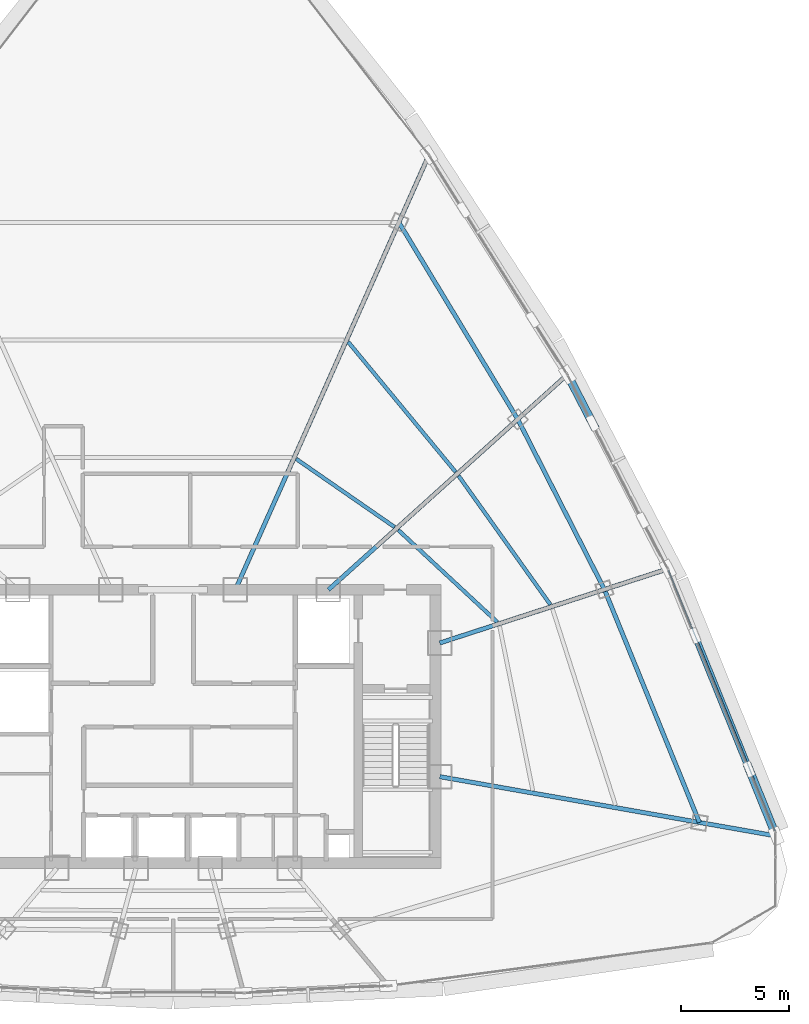
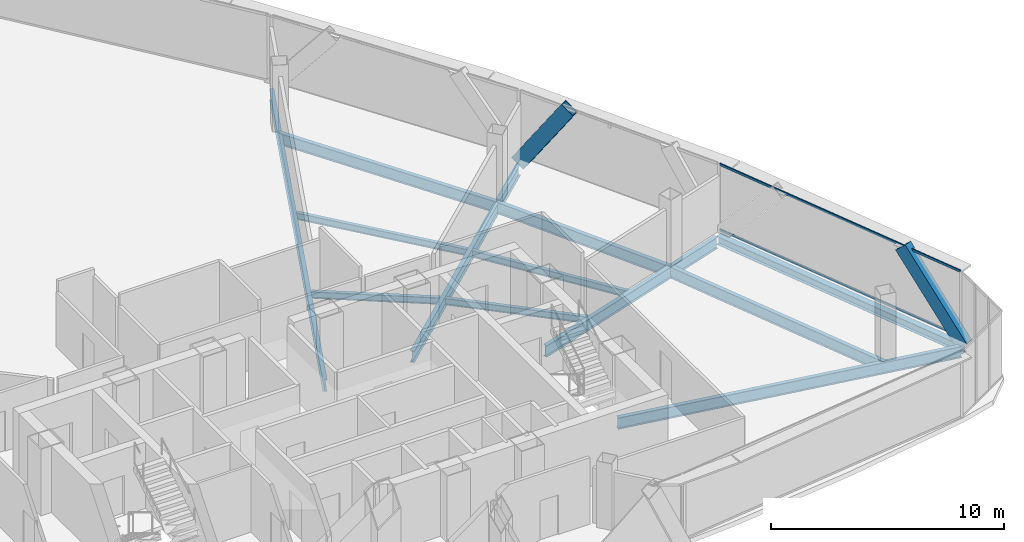
# One storey, part 14 of 28: 12 beams, 4 members, 1 element without a shape of its own.
"""IFC4 building model written with IfcOpenShell, lengths in metres."""

from ifc_helpers import new_model, si_unit, direction, frame, origin, origin_2d, place, context, subcontext, project, spatial, hollow_rectangle, i_section, extrude, source, transform, mapped, material, layer, layer_set, material_profile, profile_set, type_object, element, aggregate, save


model = new_model("IFC4")

# Units and contexts
model_context = context("Model", 3, precision=1e-05, world=origin(), true_north=direction((0.0, 1.0)))
body_context = subcontext(model_context, "Body", "Model", "MODEL_VIEW")
ifc_project = project(units=[si_unit("LENGTHUNIT", "METRE"), si_unit("AREAUNIT", "SQUARE_METRE"), si_unit("VOLUMEUNIT", "CUBIC_METRE"), si_unit("PLANEANGLEUNIT", "RADIAN"), si_unit("MASSUNIT", "GRAM", prefix="KILO"), si_unit("THERMODYNAMICTEMPERATUREUNIT", "KELVIN"), si_unit("POWERUNIT", "WATT")], contexts=[model_context])

# Site, building, storey
site_placement = place(None, origin())
site = spatial("IfcSite", under=ifc_project, at=site_placement, CompositionType="ELEMENT")
building_placement = place(site_placement, origin())
building = spatial("IfcBuilding", under=site, at=building_placement, Name="Yunzhuo Pagoda Commons", CompositionType="ELEMENT")
storey_placement = place(building_placement, frame((0.0, 0.0, 336.760009765625)))
storey = spatial("IfcBuildingStorey", under=building, at=storey_placement, Name="L84", CompositionType="ELEMENT", Elevation=336.760009765625)

# Beams
ifc_material_1 = material(Name="Structural steel Q355B", Category="steel")
ifc_material_profile_1 = material_profile(ifc_material_1, i_section(OverallWidth=0.199951171875, OverallDepth=0.60009765625, WebThickness=0.010986328125, FlangeThickness=0.01708984375, at=origin_2d()), Name="Structural steel Q355B")
ifc_profile_set_1 = profile_set([ifc_material_profile_1], Name="Structural steel Q355B")
beam_type_1 = type_object("IfcBeamType", Name="B-RG3 Beam HN 600x200x11x17", PredefinedType="BEAM", material=ifc_profile_set_1)
shared_shape_1 = source(origin(), body_context, "Body", "SweptSolid", [
    extrude(i_section(OverallWidth=0.199951171875, OverallDepth=0.60009765625, WebThickness=0.010986328125, FlangeThickness=0.01708984375, at=origin_2d()), origin(), (0.0, 0.0, 1.0), 11.696533203125),
])
beam_1_placement = place(storey_placement, frame((72.47021484375, 29.38525390625, -0.56005859375), z_axis=(-0.377611800863, 0.925963999219, 0.0), x_axis=(-0.925963999219, -0.377611800863, 0.0)))
element("IfcBeam", 1, at=beam_1_placement, inside=storey, type_object=beam_type_1, Name="L84 column-ring beam 5", PredefinedType="BEAM", context=body_context, shape_type="MappedRepresentation", body=[
    mapped(shared_shape_1, transform((0.0, 0.0, 0.0), scale=1.0)),
])
shared_shape_2 = source(origin(), body_context, "Body", "SweptSolid", [
    extrude(i_section(OverallWidth=0.199951171875, OverallDepth=0.60009765625, WebThickness=0.010986328125, FlangeThickness=0.01708984375, at=origin_2d()), origin(), (0.0, 0.0, 1.0), 8.87939453125),
])
beam_2_placement = place(storey_placement, frame((68.053466796875, 40.2158203125, -0.56005859375), z_axis=(-0.453723535687, 0.891142498798, 0.0), x_axis=(-0.891142498798, -0.453723535687, 0.0)))
element("IfcBeam", 2, at=beam_2_placement, inside=storey, type_object=beam_type_1, Name="L84 column-ring beam 6", PredefinedType="BEAM", context=body_context, shape_type="MappedRepresentation", body=[
    mapped(shared_shape_2, transform((0.0, 0.0, 0.0), scale=1.0)),
])
shared_shape_3 = source(origin(), body_context, "Body", "SweptSolid", [
    extrude(i_section(OverallWidth=0.199951171875, OverallDepth=0.60009765625, WebThickness=0.010986328125, FlangeThickness=0.01708984375, at=origin_2d()), origin(), (0.0, 0.0, 1.0), 10.691162109375),
])
beam_3_placement = place(storey_placement, frame((64.024658203125, 48.128662109375, -0.56005859375), z_axis=(-0.516864678433, 0.856067114301, 0.0), x_axis=(-0.856067114301, -0.516864678433, 0.0)))
element("IfcBeam", 3, at=beam_3_placement, inside=storey, type_object=beam_type_1, Name="L84 column-ring beam 7", PredefinedType="BEAM", context=body_context, shape_type="MappedRepresentation", body=[
    mapped(shared_shape_3, transform((0.0, 0.0, 0.0), scale=1.0)),
])
ifc_material_profile_2 = material_profile(ifc_material_1, i_section(OverallWidth=0.175048828125, OverallDepth=0.35009765625, WebThickness=0.007080078125, FlangeThickness=0.010986328125, at=origin_2d()), Name="Structural steel Q355B")
ifc_profile_set_2 = profile_set([ifc_material_profile_2], Name="Structural steel Q355B")
beam_type_2 = type_object("IfcBeamType", Name="B-JS2 Joist HN 350x175x7x11", PredefinedType="JOIST", material=ifc_profile_set_2)
shared_shape_4 = source(origin(), body_context, "Body", "SweptSolid", [
    extrude(i_section(OverallWidth=0.175048828125, OverallDepth=0.35009765625, WebThickness=0.007080078125, FlangeThickness=0.010986328125, at=origin_2d()), origin(), (0.0, 0.0, 1.0), 6.277099609375),
])
beam_4_placement = place(storey_placement, frame((63.071044921875, 38.702392578125, -0.43505859375), z_axis=(-0.73244154109, 0.68082992655, 0.0), x_axis=(-0.68082992655, -0.73244154109, 0.0)))
element("IfcBeam", 4, at=beam_4_placement, inside=storey, type_object=beam_type_2, Name="L84 composite ring joist 1.6", PredefinedType="JOIST", context=body_context, shape_type="MappedRepresentation", body=[
    mapped(shared_shape_4, transform((0.0, 0.0, 0.0), scale=1.0)),
])
shared_shape_5 = source(origin(), body_context, "Body", "SweptSolid", [
    extrude(i_section(OverallWidth=0.175048828125, OverallDepth=0.35009765625, WebThickness=0.007080078125, FlangeThickness=0.010986328125, at=origin_2d()), origin(), (0.0, 0.0, 1.0), 7.347900390625),
])
beam_5_placement = place(storey_placement, frame((65.53759765625, 39.513671875, -0.43505859375), z_axis=(-0.580294898948, 0.814406428177, 0.0), x_axis=(-0.814406428177, -0.580294898948, 0.0)))
element("IfcBeam", 5, at=beam_5_placement, inside=storey, type_object=beam_type_2, Name="L84 composite ring joist 2.6", PredefinedType="JOIST", context=body_context, shape_type="MappedRepresentation", body=[
    mapped(shared_shape_5, transform((0.0, 0.0, 0.0), scale=1.0)),
])
shared_shape_6 = source(origin(), body_context, "Body", "SweptSolid", [
    extrude(i_section(OverallWidth=0.175048828125, OverallDepth=0.35009765625, WebThickness=0.007080078125, FlangeThickness=0.010986328125, at=origin_2d()), origin(), (0.0, 0.0, 1.0), 5.556640625),
])
beam_6_placement = place(storey_placement, frame((58.29443359375, 43.119873046875, -0.43505859375), z_axis=(-0.822084621883, 0.569365326011, 0.0), x_axis=(-0.569365326011, -0.822084621883, 0.0)))
element("IfcBeam", 6, at=beam_6_placement, inside=storey, type_object=beam_type_2, Name="L84 composite ring joist 1.7", PredefinedType="JOIST", context=body_context, shape_type="MappedRepresentation", body=[
    mapped(shared_shape_6, transform((0.0, 0.0, 0.0), scale=1.0)),
])
shared_shape_7 = source(origin(), body_context, "Body", "SweptSolid", [
    extrude(i_section(OverallWidth=0.175048828125, OverallDepth=0.35009765625, WebThickness=0.007080078125, FlangeThickness=0.010986328125, at=origin_2d()), origin(), (0.0, 0.0, 1.0), 7.842529296875),
])
beam_7_placement = place(storey_placement, frame((61.133544921875, 45.68017578125, -0.43505859375), z_axis=(-0.636899145749, 0.770947130577, 0.0), x_axis=(-0.770947130577, -0.636899145749, 0.0)))
element("IfcBeam", 7, at=beam_7_placement, inside=storey, type_object=beam_type_2, Name="L84 composite ring joist 2.7", PredefinedType="JOIST", context=body_context, shape_type="MappedRepresentation", body=[
    mapped(shared_shape_7, transform((0.0, 0.0, 0.0), scale=1.0)),
])
shared_shape_8 = source(origin(), body_context, "Body", "SweptSolid", [
    extrude(i_section(OverallWidth=0.199951171875, OverallDepth=0.60009765625, WebThickness=0.010986328125, FlangeThickness=0.01708984375, at=origin_2d()), origin(), (0.0, 0.0, 1.0), 15.72412109375),
])
beam_8_placement = place(storey_placement, frame((75.88525390625, 28.783203125, -0.56005859375), z_axis=(-0.984810587899, 0.173632099459, 0.0), x_axis=(-0.173632099459, -0.984810587899, 0.0)))
element("IfcBeam", 8, at=beam_8_placement, inside=storey, type_object=beam_type_1, Name="L84 radial floor girder F2C1", PredefinedType="BEAM", context=body_context, shape_type="MappedRepresentation", body=[
    mapped(shared_shape_8, transform((0.0, 0.0, 0.0), scale=1.0)),
])
shared_shape_9 = source(origin(), body_context, "Body", "SweptSolid", [
    extrude(i_section(OverallWidth=0.199951171875, OverallDepth=0.60009765625, WebThickness=0.010986328125, FlangeThickness=0.01708984375, at=origin_2d()), origin(), (0.0, 0.0, 1.0), 10.99365234375),
])
beam_9_placement = place(storey_placement, frame((70.85546875, 41.126220703125, -0.56005859375), z_axis=(-0.951056587506, -0.30901677521, 0.0), x_axis=(0.30901677521, -0.951056587506, 0.0)))
element("IfcBeam", 9, at=beam_9_placement, inside=storey, type_object=beam_type_1, Name="L84 radial floor girder F2C2", PredefinedType="BEAM", context=body_context, shape_type="MappedRepresentation", body=[
    mapped(shared_shape_9, transform((0.0, 0.0, 0.0), scale=1.0)),
])
shared_shape_10 = source(origin(), body_context, "Body", "SweptSolid", [
    extrude(i_section(OverallWidth=0.199951171875, OverallDepth=0.60009765625, WebThickness=0.010986328125, FlangeThickness=0.01708984375, at=origin_2d()), origin(), (0.0, 0.0, 1.0), 14.802001953125),
])
beam_10_placement = place(storey_placement, frame((66.218994140625, 50.1044921875, -0.56005859375), z_axis=(-0.743141582684, -0.669134207828, 0.0), x_axis=(0.669134207828, -0.743141582684, 0.0)))
element("IfcBeam", 10, at=beam_10_placement, inside=storey, type_object=beam_type_1, Name="L84 radial floor girder F2C3", PredefinedType="BEAM", context=body_context, shape_type="MappedRepresentation", body=[
    mapped(shared_shape_10, transform((0.0, 0.0, 0.0), scale=1.0)),
])
shared_shape_11 = source(origin(), body_context, "Body", "SweptSolid", [
    extrude(i_section(OverallWidth=0.199951171875, OverallDepth=0.60009765625, WebThickness=0.010986328125, FlangeThickness=0.01708984375, at=origin_2d()), origin(), (0.0, 0.0, 1.0), 21.975341796875),
])
beam_11_placement = place(storey_placement, frame((59.832275390625, 60.275390625, -0.56005859375), z_axis=(-0.406739335942, -0.913544258697, 0.0), x_axis=(0.913544258697, -0.406739335942, 0.0)))
element("IfcBeam", 11, at=beam_11_placement, inside=storey, type_object=beam_type_1, Name="L84 radial floor girder F2C4", PredefinedType="BEAM", context=body_context, shape_type="MappedRepresentation", body=[
    mapped(shared_shape_11, transform((0.0, 0.0, 0.0), scale=1.0)),
])
ifc_material_profile_3 = material_profile(ifc_material_1, i_section(OverallWidth=0.300048828125, OverallDepth=0.43994140625, WebThickness=0.010986328125, FlangeThickness=0.01806640625, at=origin_2d()), Name="Structural steel Q355B")
ifc_profile_set_3 = profile_set([ifc_material_profile_3], Name="Structural steel Q355B")
beam_type_3 = type_object("IfcBeamType", Name="B-SP2 Beam HM 440x300x11x18", PredefinedType="BEAM", material=ifc_profile_set_3)
shared_shape_12 = source(origin(), body_context, "Body", "SweptSolid", [
    extrude(i_section(OverallWidth=0.300048828125, OverallDepth=0.43994140625, WebThickness=0.010986328125, FlangeThickness=0.01806640625, at=origin_2d()), origin(), (0.0, 0.0, 1.0), 13.399658203125),
])
beam_12_placement = place(storey_placement, frame((76.0380859375, 28.75634765625, -0.47998046875), z_axis=(-0.3757655854, 0.926714748361, 0.0), x_axis=(-0.926714748361, -0.3757655854, 0.0)))
element("IfcBeam", 12, at=beam_12_placement, inside=storey, type_object=beam_type_3, Name="L84 facade edge spandrel beam F2.1", PredefinedType="BEAM", context=body_context, shape_type="MappedRepresentation", body=[
    mapped(shared_shape_12, transform((0.0, 0.0, 0.0), scale=1.0)),
])

# Members
ifc_material_profile_4 = material_profile(ifc_material_1, hollow_rectangle(XDim=0.3798828125, YDim=0.719970703125, WallThickness=0.02001953125, at=origin_2d()), Name="Structural steel Q355B")
ifc_profile_set_4 = profile_set([ifc_material_profile_4], Name="Structural steel Q355B")
member_type_1 = type_object("IfcMemberType", Name="M-DL3 Brace BOX 720x380x20", PredefinedType="BRACE", material=ifc_profile_set_4)
shared_shape_13 = source(origin(), body_context, "Body", "SweptSolid", [
    extrude(hollow_rectangle(XDim=0.3798828125, YDim=0.719970703125, WallThickness=0.02001953125, at=origin_2d()), origin(), (0.0, 0.0, 1.0), 5.0283203125),
])
member_1_placement = place(storey_placement, frame((76.0380859375, 28.75634765625, -0.260009765625), z_axis=(-0.250342838864, 0.617360200962, 0.745784717796), x_axis=(-0.92670702987, -0.375784620213, 0.0)))
element("IfcMember", 13, at=member_1_placement, inside=storey, type_object=member_type_1, Name="L84 facade diamond brace F2.1L", PredefinedType="BRACE", context=body_context, shape_type="MappedRepresentation", body=[
    mapped(shared_shape_13, transform((0.0, 0.0, 0.0), scale=1.0)),
])
shared_shape_14 = source(origin(), body_context, "Body", "SweptSolid", [
    extrude(hollow_rectangle(XDim=0.3798828125, YDim=0.719970703125, WallThickness=0.02001953125, at=origin_2d()), origin(), (0.0, 0.0, 1.0), 4.5302734375),
])
member_2_placement = place(storey_placement, frame((66.33447265625, 50.2080078125, -0.260009765625), z_axis=(0.25759287348, -0.498479932989, 0.827746137375), x_axis=(0.888393265739, 0.459083222728, 0.0)))
element("IfcMember", 14, at=member_2_placement, inside=storey, type_object=member_type_1, Name="L84 facade diamond brace F2.2R", PredefinedType="BRACE", context=body_context, shape_type="MappedRepresentation", body=[
    mapped(shared_shape_14, transform((0.0, 0.0, 0.0), scale=1.0)),
])

# Curtain wall, members
ifc_material_2 = material(Name="Anodized aluminium 6063-T6", Category="aluminium")
ifc_layer = layer(ifc_material_2, 0.139892578125)
ifc_layer_set = layer_set([ifc_layer], Name="Anodized aluminium 6063-T6")
curtain_wall_type = type_object("IfcCurtainWallType", Name="CW-HI High-Zone Ribbon Curtain Wall", PredefinedType="NOTDEFINED", material=ifc_layer_set)
curtain_wall_placement = place(storey_placement, origin())
curtain_wall = element("IfcCurtainWall", 15, at=curtain_wall_placement, inside=storey, type_object=curtain_wall_type, Name="L84 curtain wall CW-L84-F2B2", PredefinedType="NOTDEFINED")
ifc_material_profile_5 = material_profile(ifc_material_2, hollow_rectangle(XDim=0.054931640625, YDim=0.1201171875, WallThickness=0.00341796875, at=origin_2d()), Name="Anodized aluminium 6063-T6")
ifc_profile_set_5 = profile_set([ifc_material_profile_5], Name="Anodized aluminium 6063-T6")
member_type_2 = type_object("IfcMemberType", Name="CW-HI-T Transom RHS 120x55x3.5", PredefinedType="USERDEFINED", material=ifc_profile_set_5)
shared_shape_15 = source(origin(), body_context, "Body", "SweptSolid", [
    extrude(hollow_rectangle(XDim=0.054931640625, YDim=0.1201171875, WallThickness=0.00341796875, at=origin_2d()), origin(), (0.0, 0.0, 1.0), 13.100830078125),
])
member_3_placement = place(storey_placement, frame((75.980224609375, 28.99072265625, 0.027587890625), z_axis=(-0.378185817001, 0.925729705594, 0.0), x_axis=(-0.925729705594, -0.378185817001, 0.0)))
member_3 = element("IfcMember", 16, at=member_3_placement, type_object=member_type_2, Name="CW transom 1.1", ObjectType="TRANSOM", PredefinedType="USERDEFINED", context=body_context, shape_type="MappedRepresentation", body=[
    mapped(shared_shape_15, transform((0.0, 0.0, 0.0), scale=1.0)),
])
member_4_placement = place(storey_placement, frame((75.980224609375, 28.99072265625, 3.46240234375), z_axis=(-0.378185817001, 0.925729705594, 0.0), x_axis=(-0.925729705594, -0.378185817001, 0.0)))
member_4 = element("IfcMember", 17, at=member_4_placement, type_object=member_type_2, Name="CW transom 1.2", ObjectType="TRANSOM", PredefinedType="USERDEFINED", context=body_context, shape_type="MappedRepresentation", body=[
    mapped(shared_shape_15, transform((0.0, 0.0, 0.0), scale=1.0)),
])
aggregate(curtain_wall, [member_3, member_4])

save(model, "model.ifc")
